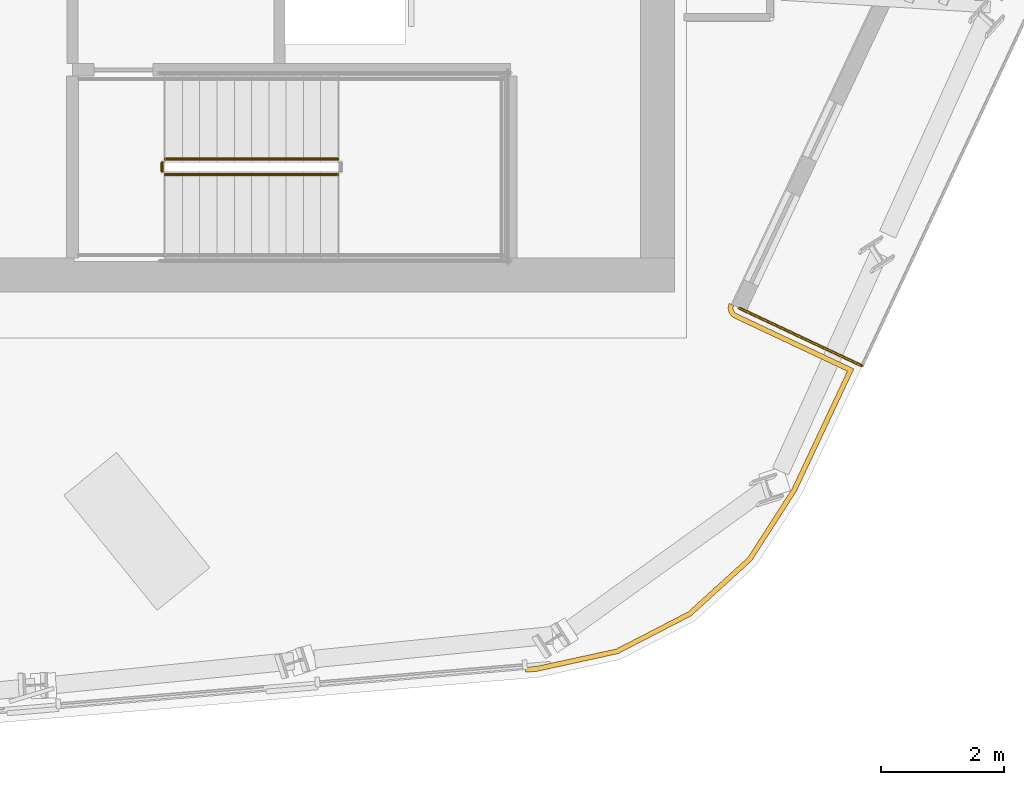
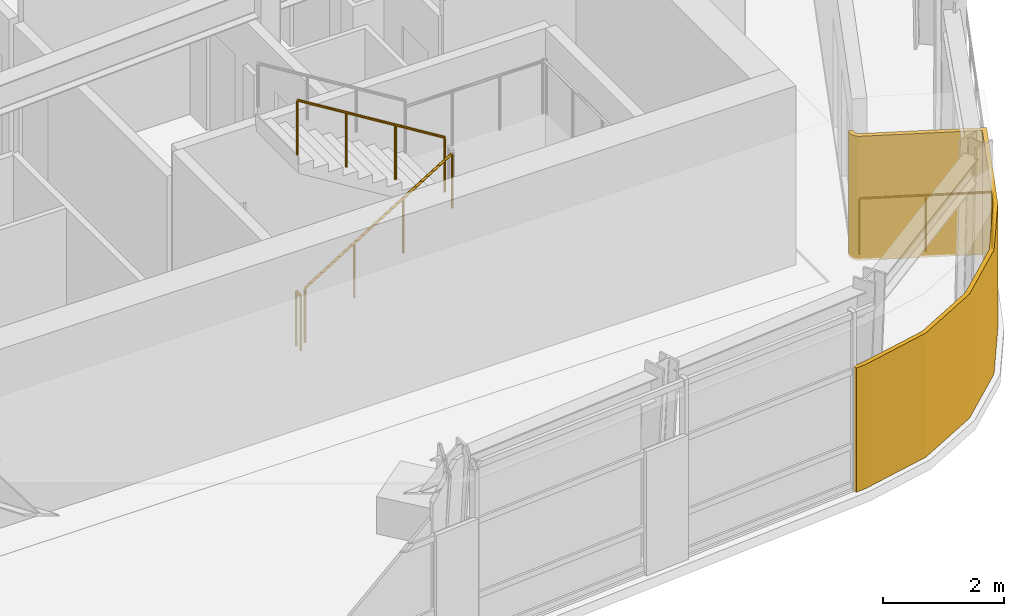
# One storey, part 9 of 14: 4 railings, 1 covering.
"""IFC4 building model written with IfcOpenShell, lengths in metres."""

import ifcopenshell
import ifcopenshell.guid

model = None  # the IFC model being written
_history = None  # IfcOwnerHistory: only IFC2X3 demands one
_inside = {}  # id of a spatial element -> (the spatial element, [elements in it])
_under = {}  # id of a project, library or spatial element -> (it, [spatial elements below it])
_declared = {}  # id of a project -> (the project, [libraries it declares])
_typed = {}  # id of a type object -> (the type object, [elements of that type])
_made_of = {}  # id of a material, layer set ... -> (it, [elements and type objects made of it])


def new_model(schema):
    """Start an empty IFC model of exactly this schema.

    Asked for "IFC4X3", IfcOpenShell would pick the latest addendum, in which some entities
    have other attributes; the version numbers below select the first issue.
    IFC2X3 requires an IfcOwnerHistory on every rooted entity: one is made here for all.
    """
    global model, _history
    if schema == "IFC4X3":
        model = ifcopenshell.file(schema_version=(4, 3, 0, 0))
    else:
        model = ifcopenshell.file(schema=schema)
    _inside.clear()
    _under.clear()
    _declared.clear()
    _typed.clear()
    _made_of.clear()
    _history = None
    if model.schema == "IFC2X3":
        org = make("IfcOrganization", Name="unknown")
        user = make(
            "IfcPersonAndOrganization",
            ThePerson=make("IfcPerson", FamilyName="unknown"),
            TheOrganization=org,
        )
        app = make(
            "IfcApplication",
            ApplicationDeveloper=org,
            Version="unknown",
            ApplicationFullName="unknown",
            ApplicationIdentifier="unknown",
        )
        _history = make(
            "IfcOwnerHistory",
            OwningUser=user,
            OwningApplication=app,
            ChangeAction="ADDED",
            CreationDate=0,
        )
    return model


def make(cls, **values):
    """One entity of the class cls with the attributes given. An attribute that is None is left unset."""
    return model.create_entity(
        cls, **{name: value for name, value in values.items() if value is not None}
    )


def rooted(cls, **values):
    """An entity with a GlobalId (a new one), such as an element, a storey or a relation."""
    return make(cls, GlobalId=ifcopenshell.guid.new(), OwnerHistory=_history, **values)


def si_unit(unit_type, name, prefix=None):
    """IfcSIUnit, for example si_unit("LENGTHUNIT", "METRE", prefix="MILLI")."""
    return make("IfcSIUnit", UnitType=unit_type, Prefix=prefix, Name=name)


def assignment(units):
    """IfcUnitAssignment: the units of a project."""
    return None if units is None else make("IfcUnitAssignment", Units=units)


def point(xyz):
    """IfcCartesianPoint."""
    return None if xyz is None else make("IfcCartesianPoint", Coordinates=xyz)


def direction(xyz):
    """IfcDirection."""
    return None if xyz is None else make("IfcDirection", DirectionRatios=xyz)


def frame(location, z_axis=None, x_axis=None):
    """IfcAxis2Placement3D, a coordinate frame: its origin and axes. An axis left out is left unset."""
    return make(
        "IfcAxis2Placement3D",
        Location=point(location),
        Axis=direction(z_axis),
        RefDirection=direction(x_axis),
    )


def frame_2d(location, x_axis=None):
    """IfcAxis2Placement2D, a coordinate frame in the plane: its origin and x axis."""
    return make(
        "IfcAxis2Placement2D", Location=point(location), RefDirection=direction(x_axis)
    )


def origin():
    """The frame at (0, 0, 0) with its axes left unset."""
    return frame((0.0, 0.0, 0.0))


def origin_2d():
    """The frame at (0, 0) in the plane with its x axis left unset."""
    return frame_2d((0.0, 0.0))


def place(relative_to, where):
    """IfcLocalPlacement: puts the frame where relative to a parent placement (None: the world)."""
    return make(
        "IfcLocalPlacement", PlacementRelTo=relative_to, RelativePlacement=where
    )


def context(
    kind, dimensions, precision=None, world=None, true_north=None, identifier=None
):
    """IfcGeometricRepresentationContext, for example the 3D "Model" context."""
    return make(
        "IfcGeometricRepresentationContext",
        ContextIdentifier=identifier,
        ContextType=kind,
        CoordinateSpaceDimension=dimensions,
        Precision=precision,
        WorldCoordinateSystem=world,
        TrueNorth=true_north,
    )


def subcontext(parent, identifier, kind, view, scale=None):
    """IfcGeometricRepresentationSubContext, for example "Body" below "Model"."""
    return make(
        "IfcGeometricRepresentationSubContext",
        ContextIdentifier=identifier,
        ContextType=kind,
        ParentContext=parent,
        TargetScale=scale,
        TargetView=view,
    )


def project(units=None, contexts=None):
    """IfcProject with its units and contexts."""
    return rooted(
        "IfcProject",
        Name="project",
        RepresentationContexts=contexts,
        UnitsInContext=assignment(units),
    )


def spatial(cls, under=None, at=None, **own):
    """A site, building, storey or space (cls), placed at a placement, below another one or the project."""
    s = rooted(cls, ObjectPlacement=at, **own)
    if under is not None:
        _under.setdefault(under.id(), (under, []))[1].append(s)
    return s


def polyline(points):
    """IfcPolyline through the points."""
    return make("IfcPolyline", Points=[point(p) for p in points])


def profile(cls, at=None, kind="AREA", **sizes):
    """A parametric profile (cls). Its sizes go by their IFC names, for example OverallWidth=200.0."""
    return make(cls, ProfileType=kind, Position=at, **sizes)


def circle(**sizes):
    """IfcCircleProfileDef."""
    return profile("IfcCircleProfileDef", **sizes)


def outline(outer, holes=None, kind="AREA"):
    """IfcArbitraryClosedProfileDef: a profile drawn as a closed curve; with holes, ...WithVoids."""
    if holes is None:
        return make("IfcArbitraryClosedProfileDef", ProfileType=kind, OuterCurve=outer)
    return make(
        "IfcArbitraryProfileDefWithVoids",
        ProfileType=kind,
        OuterCurve=outer,
        InnerCurves=holes,
    )


def extrude(swept, where, along, depth):
    """IfcExtrudedAreaSolid: the profile swept, set in the frame where, extruded along a direction by depth."""
    return make(
        "IfcExtrudedAreaSolid",
        SweptArea=swept,
        Position=where,
        ExtrudedDirection=direction(along),
        Depth=depth,
    )


def shape(context_of_items, identifier, shape_type, items):
    """IfcShapeRepresentation: the items that make up one representation, for example the "Body"."""
    return make(
        "IfcShapeRepresentation",
        ContextOfItems=context_of_items,
        RepresentationIdentifier=identifier,
        RepresentationType=shape_type,
        Items=items,
    )


def material(Name=None, Category=None):
    """IfcMaterial."""
    return make("IfcMaterial", Name=Name, Category=Category)


def layer(
    of_material, thickness, ventilated=None, Name=None, Category=None, Priority=None
):
    """IfcMaterialLayer: one layer of a wall or slab, of a material (None: an air gap)."""
    return make(
        "IfcMaterialLayer",
        Material=of_material,
        LayerThickness=thickness,
        IsVentilated=ventilated,
        Name=Name,
        Category=Category,
        Priority=Priority,
    )


def layer_set(layers, Name=None):
    """IfcMaterialLayerSet."""
    return make("IfcMaterialLayerSet", MaterialLayers=layers, LayerSetName=Name)


def made_of(thing, what):
    """Note that an element or type object is made of a material, layer set ...; save() writes the relation."""
    if what is not None:
        _made_of.setdefault(what.id(), (what, []))[1].append(thing)
    return thing


def type_object(cls, material=None, **own):
    """A type object (cls), such as IfcWallType, which elements share."""
    return made_of(rooted(cls, **own), material)


def element(
    cls,
    number,
    at=None,
    inside=None,
    cuts=None,
    type_object=None,
    material=None,
    context=None,
    identifier="Body",
    shape_type=None,
    held_by="IfcProductDefinitionShape",
    body=None,
    shapes=None,
    **own,
):
    """One element of the class cls, such as IfcWall. Its Tag is "e" and its number.

    at: its placement. inside: the storey or other place that contains it. cuts: it is an
    opening in that element (IfcRelVoidsElement). A single representation is given by context,
    identifier, shape_type and body (its items); several are given by shapes. held_by: the class
    of the entity that holds the representations. save() writes the other relations.
    """
    e = rooted(cls, Tag="e%d" % number, ObjectPlacement=at, **own)
    if body is not None:
        shapes = [shape(context, identifier, shape_type, body)]
    if shapes is not None:
        e.Representation = make(held_by, Representations=shapes)
    if inside is not None:
        _inside.setdefault(inside.id(), (inside, []))[1].append(e)
    if cuts is not None:
        rooted(
            "IfcRelVoidsElement", RelatingBuildingElement=cuts, RelatedOpeningElement=e
        )
    if type_object is not None:
        _typed.setdefault(type_object.id(), (type_object, []))[1].append(e)
    return made_of(e, material)


def aggregate(whole, parts):
    """IfcRelAggregates: a whole, such as a stair, and the parts it consists of."""
    return rooted("IfcRelAggregates", RelatingObject=whole, RelatedObjects=parts)


def save(model, path):
    """Write the relations noted so far, then the file.

    IfcRelAggregates (storeys below a building ...), IfcRelContainedInSpatialStructure (elements
    in a storey), IfcRelDefinesByType, IfcRelAssociatesMaterial and IfcRelDeclares: one each for
    every whole, place, type object, material and project.
    """
    for whole, parts in _under.values():
        aggregate(whole, parts)
    for where, things in _inside.values():
        rooted(
            "IfcRelContainedInSpatialStructure",
            RelatedElements=things,
            RelatingStructure=where,
        )
    for kind, things in _typed.values():
        rooted("IfcRelDefinesByType", RelatedObjects=things, RelatingType=kind)
    for what, things in _made_of.values():
        rooted("IfcRelAssociatesMaterial", RelatedObjects=things, RelatingMaterial=what)
    for by, libraries in _declared.values():
        rooted("IfcRelDeclares", RelatingContext=by, RelatedDefinitions=libraries)
    model.write(path)


model = new_model("IFC4")

# Units and contexts
model_context = context("Model", 3, precision=1e-05, world=origin(), true_north=direction((0.0, 1.0)))
body_context = subcontext(model_context, "Body", "Model", "MODEL_VIEW")
ifc_project = project(units=[si_unit("LENGTHUNIT", "METRE"), si_unit("AREAUNIT", "SQUARE_METRE"), si_unit("VOLUMEUNIT", "CUBIC_METRE"), si_unit("PLANEANGLEUNIT", "RADIAN"), si_unit("MASSUNIT", "GRAM", prefix="KILO")], contexts=[model_context])

# Site, building, storey
site_placement = place(None, origin())
site = spatial("IfcSite", under=ifc_project, at=site_placement, CompositionType="ELEMENT")
building_placement = place(site_placement, origin())
building = spatial("IfcBuilding", under=site, at=building_placement, Name="Valkerne Bourse Tower", CompositionType="ELEMENT")
storey_placement = place(building_placement, frame((0.0, 0.0, 304.0)))
storey = spatial("IfcBuildingStorey", under=building, at=storey_placement, Name="L77", CompositionType="ELEMENT", Elevation=304.0)

# Covering
ifc_material_1 = material(Name="Bronze Anodised Aluminium AA 6063-T6", Category="aluminium")
ifc_layer = layer(ifc_material_1, 0.06005859375)
ifc_layer_set = layer_set([ifc_layer], Name="Bronze Anodised Aluminium AA 6063-T6")
covering_type = type_object("IfcCoveringType", Name="COV-CRN-ALUM", PredefinedType="CLADDING", material=ifc_layer_set)
covering_placement = place(storey_placement, origin())
element("IfcCovering", 1, at=covering_placement, inside=storey, type_object=covering_type, Name="L77 Wind-Shaped Corner Aluminium Cladding 01", PredefinedType="CLADDING", context=body_context, shape_type="SweptSolid", body=[
    extrude(outline(polyline([(56.67041015625, 12.798583984375), (55.4873046875, 12.18798828125), (54.180419921875, 11.903076171875), (53.98779296875, 11.88671875), (53.981201171875, 11.966552734375), (54.16845703125, 11.982421875), (55.460205078125, 12.263916015625), (56.624267578125, 12.86474609375), (57.59326171875, 13.746337890625), (58.3076171875, 14.85888671875), (59.2041015625, 16.764404296875), (57.37646484375, 17.62451171875), (57.36083984375, 17.6328125), (57.34619140625, 17.642578125), (57.33251953125, 17.65380859375), (57.31982421875, 17.666259765625), (57.30859375, 17.679931640625), (57.298828125, 17.694580078125), (57.290283203125, 17.710205078125), (57.28369140625, 17.726318359375), (57.278564453125, 17.743408203125), (57.27490234375, 17.760498046875), (57.273193359375, 17.7783203125), (57.273193359375, 17.7958984375), (57.27490234375, 17.8134765625), (57.2783203125, 17.830810546875), (57.283447265625, 17.84765625), (57.2900390625, 17.864013671875), (57.362548828125, 17.830078125), (57.35888671875, 17.82080078125), (57.35595703125, 17.8115234375), (57.35400390625, 17.802001953125), (57.35302734375, 17.7919921875), (57.35302734375, 17.7822265625), (57.35400390625, 17.7724609375), (57.35595703125, 17.762939453125), (57.35888671875, 17.75341796875), (57.36279296875, 17.744384765625), (57.3671875, 17.73583984375), (57.372802734375, 17.727783203125), (57.37890625, 17.72021484375), (57.385986328125, 17.713134765625), (57.3935546875, 17.70703125), (57.40185546875, 17.701416015625), (57.410400390625, 17.697021484375), (59.310546875, 16.802734375), (58.377685546875, 14.820068359375), (57.65478515625, 13.6943359375), (56.67041015625, 12.798583984375)])), origin(), (0.0, 0.0, 1.0), 2.5),
])

# Railings
ifc_material_2 = material(Name="Laminated Tempered Safety Glass", Category="glass")
railing_type_1 = type_object("IfcRailingType", Name="RLG-GUARD-1150", PredefinedType="BALUSTRADE", material=ifc_material_2)
railing_1_placement = place(storey_placement, frame((59.443603515625, 16.8505859375, 0.0)))
element("IfcRailing", 2, at=railing_1_placement, inside=storey, type_object=railing_type_1, Name="L77 V-Notch Terrace Glass Balustrade 1", PredefinedType="BALUSTRADE", context=body_context, shape_type="SweptSolid", body=[
    extrude(circle(Radius=0.02392578125, at=origin_2d()), frame((0.0, 0.0, 1.1259765625), z_axis=(-0.904826246569, 0.42578100418, 0.0), x_axis=(-0.42578100418, -0.904826246569, 0.0)), (0.0, 0.0, 1.0), 2.2001953125),
    extrude(circle(Radius=0.02099609375, at=origin_2d()), origin(), (0.0, 0.0, 1.0), 1.101806640625),
    extrude(circle(Radius=0.02099609375, at=origin_2d()), frame((-0.995361328125, 0.46826171875, 0.0)), (0.0, 0.0, 1.0), 1.101806640625),
    extrude(circle(Radius=0.02099609375, at=origin_2d()), frame((-1.99072265625, 0.936767578125, 0.0)), (0.0, 0.0, 1.0), 1.101806640625),
])
ifc_material_3 = material(Name="Galvanised Painted Steel", Category="steel")
railing_type_2 = type_object("IfcRailingType", Name="RLG-ST-GUARD-1120", PredefinedType="GUARDRAIL", material=ifc_material_3)
railing_2_placement = place(storey_placement, frame((48.14990234375, 19.949951171875, 0.172607421875)))
element("IfcRailing", 3, at=railing_2_placement, inside=storey, type_object=railing_type_2, Name="L77 ST-1 stair guard 1", PredefinedType="GUARDRAIL", context=body_context, shape_type="SweptSolid", body=[
    extrude(circle(Radius=0.02392578125, at=origin_2d()), frame((0.0, 0.0, 1.09619140625), z_axis=(0.851089632645, 0.0, 0.525020415988), x_axis=(0.0, 1.0, 0.0)), (0.0, 0.0, 1.0), 3.2900390625),
    extrude(circle(Radius=0.02099609375, at=origin_2d()), origin(), (0.0, 0.0, 1.0), 1.072021484375),
    extrude(circle(Radius=0.02099609375, at=origin_2d()), frame((0.933349609375, 0.0, 0.57568359375)), (0.0, 0.0, 1.0), 1.072021484375),
    extrude(circle(Radius=0.02099609375, at=origin_2d()), frame((1.86669921875, 0.0, 1.151611328125)), (0.0, 0.0, 1.0), 1.072021484375),
    extrude(circle(Radius=0.02099609375, at=origin_2d()), frame((2.800048828125, 0.0, 1.727294921875)), (0.0, 0.0, 1.0), 1.072021484375),
])
railing_3_placement = place(storey_placement, frame((50.949951171875, 20.199951171875, 2.07275390625)))
element("IfcRailing", 4, at=railing_3_placement, inside=storey, type_object=railing_type_2, Name="L77 ST-1 stair guard 6", PredefinedType="GUARDRAIL", context=body_context, shape_type="SweptSolid", body=[
    extrude(circle(Radius=0.02392578125, at=origin_2d()), frame((0.0, 0.0, 1.09619140625), z_axis=(-0.851089632645, 0.0, 0.525020415988), x_axis=(0.0, -1.0, 0.0)), (0.0, 0.0, 1.0), 3.2900390625),
    extrude(circle(Radius=0.02099609375, at=origin_2d()), origin(), (0.0, 0.0, 1.0), 1.072021484375),
    extrude(circle(Radius=0.02099609375, at=origin_2d()), frame((-0.933349609375, 0.0, 0.57568359375)), (0.0, 0.0, 1.0), 1.072021484375),
    extrude(circle(Radius=0.02099609375, at=origin_2d()), frame((-1.86669921875, 0.0, 1.151611328125)), (0.0, 0.0, 1.0), 1.072021484375),
    extrude(circle(Radius=0.02099609375, at=origin_2d()), frame((-2.800048828125, 0.0, 1.727294921875)), (0.0, 0.0, 1.0), 1.072021484375),
])
railing_4_placement = place(storey_placement, frame((48.10009765625, 20.0, 0.0)))
element("IfcRailing", 5, at=railing_4_placement, inside=storey, type_object=railing_type_2, Name="L77 ST-1 stair guard 7", PredefinedType="GUARDRAIL", context=body_context, shape_type="SweptSolid", body=[
    extrude(circle(Radius=0.02392578125, at=origin_2d()), frame((0.0, 0.0, 1.09619140625), z_axis=(0.0, 1.0, 0.0), x_axis=(-1.0, 0.0, 0.0)), (0.0, 0.0, 1.0), 0.14990234375),
    extrude(circle(Radius=0.02099609375, at=origin_2d()), origin(), (0.0, 0.0, 1.0), 1.072021484375),
    extrude(circle(Radius=0.02099609375, at=origin_2d()), frame((0.0, 0.14990234375, 0.0)), (0.0, 0.0, 1.0), 1.072021484375),
])

save(model, "model.ifc")
